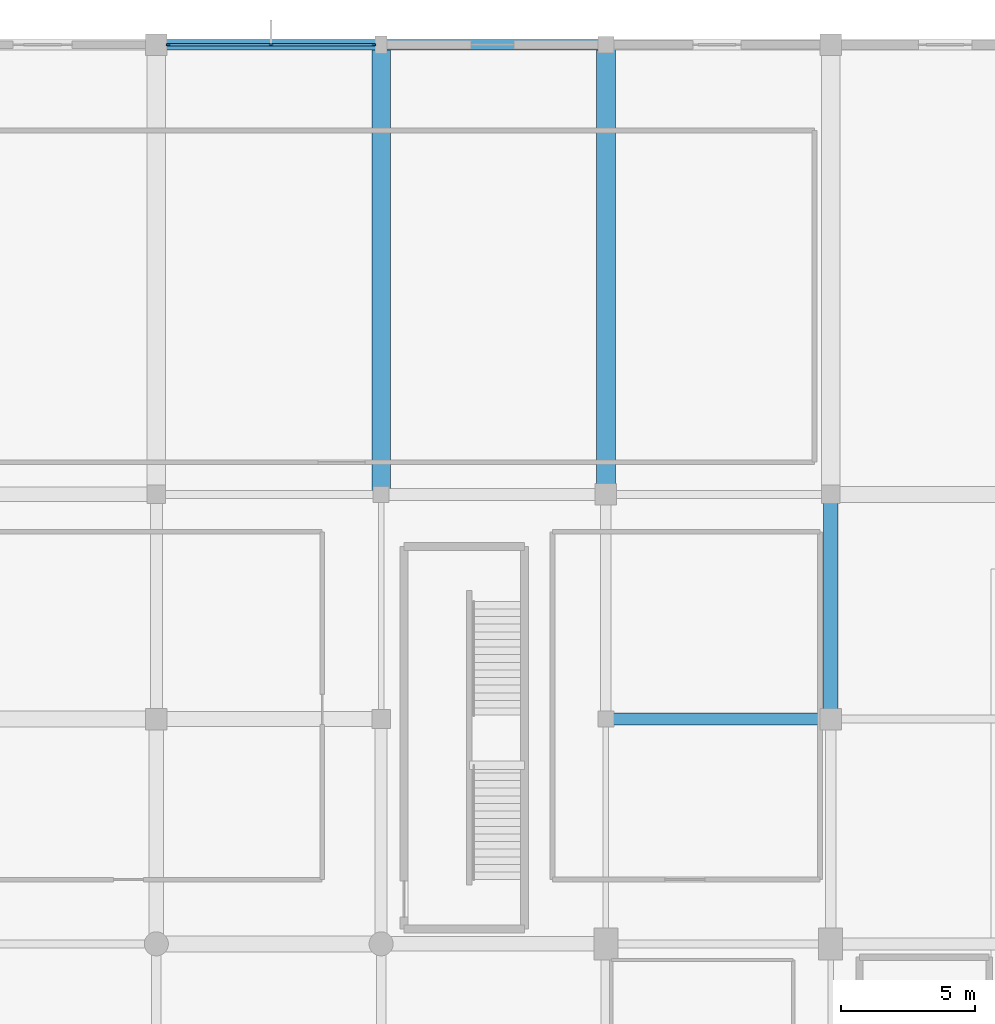
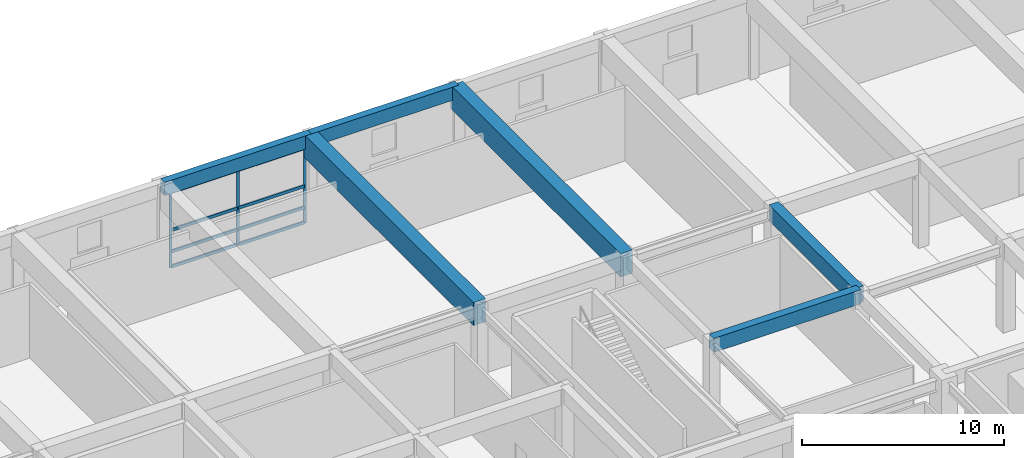
# One storey, part 23 of 62: 11 members, 6 beams, 1 element without a shape of its own.
"""IFC4 building model written with IfcOpenShell, lengths in metres."""

from ifc_helpers import new_model, si_unit, direction, frame, origin, origin_2d, place, context, subcontext, project, spatial, rectangle, extrude, material, material_profile, profile_set, type_object, element, aggregate, save


model = new_model("IFC4")

# Units and contexts
model_context = context("Model", 3, precision=1e-05, world=origin(), true_north=direction((0.0, 1.0)))
body_context = subcontext(model_context, "Body", "Model", "MODEL_VIEW")
ifc_project = project(units=[si_unit("LENGTHUNIT", "METRE"), si_unit("AREAUNIT", "SQUARE_METRE"), si_unit("VOLUMEUNIT", "CUBIC_METRE"), si_unit("PLANEANGLEUNIT", "RADIAN"), si_unit("MASSUNIT", "GRAM", prefix="KILO")], contexts=[model_context])

# Site, building, storey
site_placement = place(None, origin())
site = spatial("IfcSite", under=ifc_project, at=site_placement, CompositionType="ELEMENT")
building_placement = place(site_placement, origin())
building = spatial("IfcBuilding", under=site, at=building_placement, Name="Xuanlan Plaza Opera House", CompositionType="ELEMENT")
storey_placement = place(building_placement, origin())
storey = spatial("IfcBuildingStorey", under=building, at=storey_placement, Name="L00", CompositionType="ELEMENT", Elevation=0.0)

# Curtain wall, members
ifc_material_1 = material(Name="Anodised Aluminium 6063-T6 and Low-E Glass", Category="aluminium")
curtain_wall_type = type_object("IfcCurtainWallType", Name="ENV-CW-CW-06", PredefinedType="USERDEFINED", material=ifc_material_1)
curtain_wall_placement = place(storey_placement, origin())
curtain_wall = element("IfcCurtainWall", 1, at=curtain_wall_placement, inside=storey, type_object=curtain_wall_type, Name="Acoustic Glazed Wall L00-039", ObjectType="ACOUSTIC GLAZED WALL", PredefinedType="USERDEFINED")
ifc_material_2 = material(Name="Anodised Aluminium 6063-T6", Category="aluminium")
ifc_material_profile_1 = material_profile(ifc_material_2, rectangle(XDim=0.06494140625, YDim=0.159912109375, at=origin_2d()), Name="ALU-M 65x160")
ifc_profile_set_1 = profile_set([ifc_material_profile_1], Name="Anodised Aluminium 6063-T6")
member_type_1 = type_object("IfcMemberType", Name="ENV-CWM-01", PredefinedType="MULLION", material=ifc_profile_set_1)
member_1_placement = place(storey_placement, frame((83.722412109375, 117.60009765625, 0.0), z_axis=(0.0, 0.0, 1.0), x_axis=(0.0, -1.0, 0.0)))
member_1 = element("IfcMember", 2, at=member_1_placement, type_object=member_type_1, Name="CW-06 mullion 1", PredefinedType="MULLION", context=body_context, shape_type="SweptSolid", body=[
    extrude(rectangle(XDim=0.06494140625, YDim=0.159912109375, at=origin_2d()), origin(), (0.0, 0.0, 1.0), 4.580078125),
])
member_2_placement = place(storey_placement, frame((79.887451171875, 117.60009765625, 0.0), z_axis=(0.0, 0.0, 1.0), x_axis=(0.0, -1.0, 0.0)))
member_2 = element("IfcMember", 3, at=member_2_placement, type_object=member_type_1, Name="CW-06 mullion 2", PredefinedType="MULLION", context=body_context, shape_type="SweptSolid", body=[
    extrude(rectangle(XDim=0.06494140625, YDim=0.159912109375, at=origin_2d()), origin(), (0.0, 0.0, 1.0), 4.580078125),
])
member_3_placement = place(storey_placement, frame((76.052490234375, 117.60009765625, 0.0), z_axis=(0.0, 0.0, 1.0), x_axis=(0.0, -1.0, 0.0)))
member_3 = element("IfcMember", 4, at=member_3_placement, type_object=member_type_1, Name="CW-06 mullion 3", PredefinedType="MULLION", context=body_context, shape_type="SweptSolid", body=[
    extrude(rectangle(XDim=0.06494140625, YDim=0.159912109375, at=origin_2d()), origin(), (0.0, 0.0, 1.0), 4.580078125),
])
ifc_material_profile_2 = material_profile(ifc_material_2, rectangle(XDim=0.090087890625, YDim=0.179931640625, at=origin_2d()), Name="ALU-T 90x180")
ifc_profile_set_2 = profile_set([ifc_material_profile_2], Name="Anodised Aluminium 6063-T6")
member_type_2 = type_object("IfcMemberType", Name="ENV-CWT-05", PredefinedType="USERDEFINED", material=ifc_profile_set_2)
member_4_placement = place(storey_placement, frame((83.68994140625, 117.60009765625, 0.044921875), z_axis=(-1.0, 0.0, 0.0), x_axis=(0.0, -1.0, 0.0)))
member_4 = element("IfcMember", 5, at=member_4_placement, type_object=member_type_2, Name="CW-06 transom 1.1", ObjectType="TRANSOM", PredefinedType="USERDEFINED", context=body_context, shape_type="SweptSolid", body=[
    extrude(rectangle(XDim=0.090087890625, YDim=0.179931640625, at=origin_2d()), origin(), (0.0, 0.0, 1.0), 3.77001953125),
])
member_5_placement = place(storey_placement, frame((83.68994140625, 117.60009765625, 0.949951171875), z_axis=(-1.0, 0.0, 0.0), x_axis=(0.0, -1.0, 0.0)))
member_5 = element("IfcMember", 6, at=member_5_placement, type_object=member_type_2, Name="CW-06 transom 1.2", ObjectType="TRANSOM", PredefinedType="USERDEFINED", context=body_context, shape_type="SweptSolid", body=[
    extrude(rectangle(XDim=0.090087890625, YDim=0.179931640625, at=origin_2d()), origin(), (0.0, 0.0, 1.0), 3.77001953125),
])
member_6_placement = place(storey_placement, frame((83.68994140625, 117.60009765625, 2.25), z_axis=(-1.0, 0.0, 0.0), x_axis=(0.0, -1.0, 0.0)))
member_6 = element("IfcMember", 7, at=member_6_placement, type_object=member_type_2, Name="CW-06 transom 1.3", ObjectType="TRANSOM", PredefinedType="USERDEFINED", context=body_context, shape_type="SweptSolid", body=[
    extrude(rectangle(XDim=0.090087890625, YDim=0.179931640625, at=origin_2d()), origin(), (0.0, 0.0, 1.0), 3.77001953125),
])
member_7_placement = place(storey_placement, frame((83.68994140625, 117.60009765625, 4.534912109375), z_axis=(-1.0, 0.0, 0.0), x_axis=(0.0, -1.0, 0.0)))
member_7 = element("IfcMember", 8, at=member_7_placement, type_object=member_type_2, Name="CW-06 transom 1.4", ObjectType="TRANSOM", PredefinedType="USERDEFINED", context=body_context, shape_type="SweptSolid", body=[
    extrude(rectangle(XDim=0.090087890625, YDim=0.179931640625, at=origin_2d()), origin(), (0.0, 0.0, 1.0), 3.77001953125),
])
member_8_placement = place(storey_placement, frame((79.85498046875, 117.60009765625, 0.044921875), z_axis=(-1.0, 0.0, 0.0), x_axis=(0.0, -1.0, 0.0)))
member_8 = element("IfcMember", 9, at=member_8_placement, type_object=member_type_2, Name="CW-06 transom 2.1", ObjectType="TRANSOM", PredefinedType="USERDEFINED", context=body_context, shape_type="SweptSolid", body=[
    extrude(rectangle(XDim=0.090087890625, YDim=0.179931640625, at=origin_2d()), origin(), (0.0, 0.0, 1.0), 3.77001953125),
])
member_9_placement = place(storey_placement, frame((79.85498046875, 117.60009765625, 0.949951171875), z_axis=(-1.0, 0.0, 0.0), x_axis=(0.0, -1.0, 0.0)))
member_9 = element("IfcMember", 10, at=member_9_placement, type_object=member_type_2, Name="CW-06 transom 2.2", ObjectType="TRANSOM", PredefinedType="USERDEFINED", context=body_context, shape_type="SweptSolid", body=[
    extrude(rectangle(XDim=0.090087890625, YDim=0.179931640625, at=origin_2d()), origin(), (0.0, 0.0, 1.0), 3.77001953125),
])
member_10_placement = place(storey_placement, frame((79.85498046875, 117.60009765625, 2.25), z_axis=(-1.0, 0.0, 0.0), x_axis=(0.0, -1.0, 0.0)))
member_10 = element("IfcMember", 11, at=member_10_placement, type_object=member_type_2, Name="CW-06 transom 2.3", ObjectType="TRANSOM", PredefinedType="USERDEFINED", context=body_context, shape_type="SweptSolid", body=[
    extrude(rectangle(XDim=0.090087890625, YDim=0.179931640625, at=origin_2d()), origin(), (0.0, 0.0, 1.0), 3.77001953125),
])
member_11_placement = place(storey_placement, frame((79.85498046875, 117.60009765625, 4.534912109375), z_axis=(-1.0, 0.0, 0.0), x_axis=(0.0, -1.0, 0.0)))
member_11 = element("IfcMember", 12, at=member_11_placement, type_object=member_type_2, Name="CW-06 transom 2.4", ObjectType="TRANSOM", PredefinedType="USERDEFINED", context=body_context, shape_type="SweptSolid", body=[
    extrude(rectangle(XDim=0.090087890625, YDim=0.179931640625, at=origin_2d()), origin(), (0.0, 0.0, 1.0), 3.77001953125),
])
aggregate(curtain_wall, [member_1, member_2, member_3, member_4, member_5, member_6, member_7, member_8, member_9, member_10, member_11])

# Beams
ifc_material_3 = material(Name="Concrete C50", Category="concrete")
ifc_material_profile_3 = material_profile(ifc_material_3, rectangle(XDim=0.550048828125, YDim=0.949951171875, at=origin_2d()), Name="RC-BM 550x950")
ifc_profile_set_3 = profile_set([ifc_material_profile_3], Name="Concrete C50")
beam_type_1 = type_object("IfcBeamType", Name="STR-BM-B-02", PredefinedType="BEAM", material=ifc_profile_set_3)
beam_1_placement = place(storey_placement, frame((100.800048828125, 92.39990234375, 4.925048828125), z_axis=(0.0, 1.0, 0.0), x_axis=(-1.0, 0.0, 0.0)))
element("IfcBeam", 13, at=beam_1_placement, inside=storey, type_object=beam_type_1, Name="Grid Beam Y L00 13/L-M", PredefinedType="BEAM", context=body_context, shape_type="SweptSolid", body=[
    extrude(rectangle(XDim=0.550048828125, YDim=0.949951171875, at=origin_2d()), origin(), (0.0, 0.0, 1.0), 8.400146484375),
])
ifc_material_4 = material(Name="Concrete C40", Category="concrete")
ifc_material_profile_4 = material_profile(ifc_material_4, rectangle(XDim=0.449951171875, YDim=0.85009765625, at=origin_2d()), Name="RC-BM 450x850")
ifc_profile_set_4 = profile_set([ifc_material_profile_4], Name="Concrete C40")
beam_type_2 = type_object("IfcBeamType", Name="STR-BM-B-04", PredefinedType="BEAM", material=ifc_profile_set_4)
beam_2_placement = place(storey_placement, frame((92.39990234375, 92.39990234375, 4.97509765625), z_axis=(1.0, 0.0, 0.0), x_axis=(0.0, 1.0, 0.0)))
element("IfcBeam", 14, at=beam_2_placement, inside=storey, type_object=beam_type_2, Name="Grid Beam X L00 12-13/L", PredefinedType="BEAM", context=body_context, shape_type="SweptSolid", body=[
    extrude(rectangle(XDim=0.449951171875, YDim=0.85009765625, at=origin_2d()), origin(), (0.0, 0.0, 1.0), 8.400146484375),
])
ifc_material_profile_5 = material_profile(ifc_material_3, rectangle(XDim=0.699951171875, YDim=1.39990234375, at=origin_2d()), Name="RC-LG 700x1400")
ifc_profile_set_5 = profile_set([ifc_material_profile_5], Name="Concrete C50")
beam_type_3 = type_object("IfcBeamType", Name="STR-BM-LG-01", PredefinedType="BEAM", material=ifc_profile_set_5)
for number, where, z_axis, x_axis, name in (
    (15, (84.0, 100.800048828125, 4.699951171875), (0.0, 1.0, 0.0), (-1.0, 0.0, 0.0), "Grid Beam Y L00 11/M-O"),
    (16, (92.39990234375, 100.800048828125, 4.699951171875), (0.0, 1.0, 0.0), (-1.0, 0.0, 0.0), "Grid Beam Y L00 12/M-O"),
):
    element("IfcBeam", number, at=place(storey_placement, frame(where, z_axis=z_axis, x_axis=x_axis)), inside=storey, type_object=beam_type_3, Name=name, PredefinedType="BEAM", context=body_context, shape_type="SweptSolid", body=[
        extrude(rectangle(XDim=0.699951171875, YDim=1.39990234375, at=origin_2d()), origin(), (0.0, 0.0, 1.0), 16.800048828125),
    ])
ifc_material_profile_6 = material_profile(ifc_material_4, rectangle(XDim=0.39990234375, YDim=0.800048828125, at=origin_2d()), Name="RC-SPD 400x800")
ifc_profile_set_6 = profile_set([ifc_material_profile_6], Name="Concrete C40")
beam_type_4 = type_object("IfcBeamType", Name="STR-BM-SP-01", PredefinedType="SPANDREL", material=ifc_profile_set_6)
for number, where, z_axis, x_axis, name in (
    (17, (75.60009765625, 117.60009765625, 5.0), (1.0, 0.0, 0.0), (0.0, 1.0, 0.0), "Grid Beam X L00 10-11/O"),
    (18, (84.0, 117.60009765625, 5.0), (1.0, 0.0, 0.0), (0.0, 1.0, 0.0), "Grid Beam X L00 11-12/O"),
):
    element("IfcBeam", number, at=place(storey_placement, frame(where, z_axis=z_axis, x_axis=x_axis)), inside=storey, type_object=beam_type_4, Name=name, PredefinedType="SPANDREL", context=body_context, shape_type="SweptSolid", body=[
        extrude(rectangle(XDim=0.39990234375, YDim=0.800048828125, at=origin_2d()), origin(), (0.0, 0.0, 1.0), 8.39990234375),
    ])

save(model, "model.ifc")
